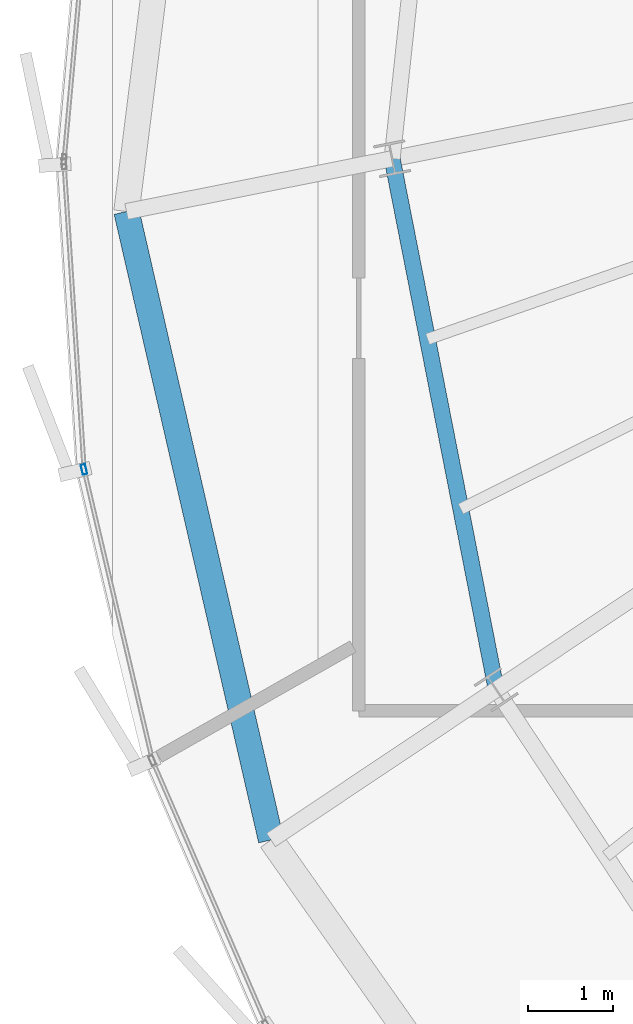
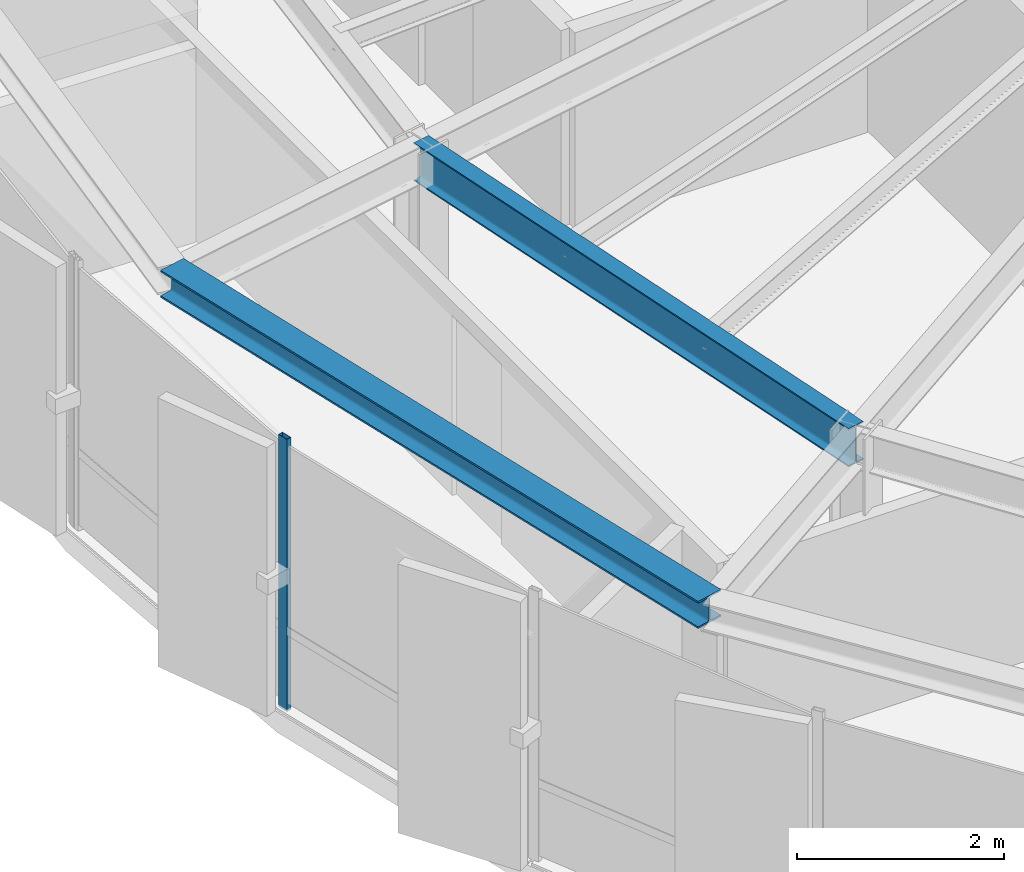
# One storey, part 5 of 31: 2 beams, 1 member, 1 element without a shape of its own.
"""IFC4 building model written with IfcOpenShell, lengths in metres."""

from ifc_helpers import new_model, si_unit, direction, frame, origin, origin_2d, place, context, subcontext, project, spatial, hollow_rectangle, i_section, extrude, source, transform, mapped, material, layer, layer_set, material_profile, profile_set, type_object, element, aggregate, save


model = new_model("IFC4")

# Units and contexts
model_context = context("Model", 3, precision=1e-05, world=origin(), true_north=direction((0.0, 1.0)))
body_context = subcontext(model_context, "Body", "Model", "MODEL_VIEW")
ifc_project = project(units=[si_unit("LENGTHUNIT", "METRE"), si_unit("AREAUNIT", "SQUARE_METRE"), si_unit("VOLUMEUNIT", "CUBIC_METRE"), si_unit("PLANEANGLEUNIT", "RADIAN"), si_unit("MASSUNIT", "GRAM", prefix="KILO"), si_unit("THERMODYNAMICTEMPERATUREUNIT", "KELVIN")], contexts=[model_context])

# Site, building, storey
site_placement = place(None, origin())
site = spatial("IfcSite", under=ifc_project, at=site_placement, CompositionType="ELEMENT")
building_placement = place(site_placement, origin())
building = spatial("IfcBuilding", under=site, at=building_placement, Name="Kethvar Cultural Tower", CompositionType="ELEMENT")
storey_placement = place(building_placement, frame((0.0, 0.0, 290.5)))
storey = spatial("IfcBuildingStorey", under=building, at=storey_placement, Name="L77", CompositionType="ELEMENT", Elevation=290.5)

# Beams
ifc_material_1 = material(Name="Steel S355J2", Category="steel")
ifc_material_profile_1 = material_profile(ifc_material_1, i_section(OverallWidth=0.18994140625, OverallDepth=0.449951171875, WebThickness=0.009521484375, FlangeThickness=0.0146484375, FilletRadius=0.02099609375, at=origin_2d()), Name="Steel S355J2 — IPE450")
ifc_profile_set_1 = profile_set([ifc_material_profile_1], Name="Steel S355J2 — IPE450")
beam_type_1 = type_object("IfcBeamType", Name="BM-IPE450", PredefinedType="BEAM", material=ifc_profile_set_1)
shared_shape_1 = source(origin(), body_context, "Body", "SweptSolid", [
    extrude(i_section(OverallWidth=0.18994140625, OverallDepth=0.449951171875, WebThickness=0.009521484375, FlangeThickness=0.0146484375, FilletRadius=0.02099609375, at=origin_2d()), origin(), (0.0, 0.0, 1.0), 6.391357421875),
])
beam_1_placement = place(storey_placement, frame((31.68310546875, 24.79296875, 2.98291015625), z_axis=(0.192405084368, -0.981315588131, 0.0), x_axis=(0.981315588131, 0.192405084368, 0.0)))
element("IfcBeam", 1, at=beam_1_placement, inside=storey, type_object=beam_type_1, Name="L77 Column Ring Tie Beam CR-09", PredefinedType="BEAM", context=body_context, shape_type="MappedRepresentation", body=[
    mapped(shared_shape_1, transform((0.0, 0.0, 0.0), scale=1.0)),
])
ifc_material_profile_2 = material_profile(ifc_material_1, i_section(OverallWidth=0.300048828125, OverallDepth=0.320068359375, WebThickness=0.011474609375, FlangeThickness=0.0205078125, FilletRadius=0.027099609375, at=origin_2d()), Name="Steel S355J2 — HEB320")
ifc_profile_set_2 = profile_set([ifc_material_profile_2], Name="Steel S355J2 — HEB320")
beam_type_2 = type_object("IfcBeamType", Name="BM-SP320", PredefinedType="SPANDREL", material=ifc_profile_set_2)
shared_shape_2 = source(origin(), body_context, "Body", "SweptSolid", [
    extrude(i_section(OverallWidth=0.300048828125, OverallDepth=0.320068359375, WebThickness=0.011474609375, FlangeThickness=0.0205078125, FilletRadius=0.027099609375, at=origin_2d()), origin(), (0.0, 0.0, 1.0), 7.619384765625),
])
beam_2_placement = place(storey_placement, frame((28.54443359375, 24.168701171875, 3.048095703125), z_axis=(0.224133998424, -0.974558336248, 0.0), x_axis=(0.974558336248, 0.224133998424, 0.0)))
element("IfcBeam", 2, at=beam_2_placement, inside=storey, type_object=beam_type_2, Name="L77 Perimeter Spandrel Beam SP-09", PredefinedType="SPANDREL", context=body_context, shape_type="MappedRepresentation", body=[
    mapped(shared_shape_2, transform((0.0, 0.0, 0.0), scale=1.0)),
])

# Curtain wall, member
ifc_material_2 = material(Name="Aluminium 6063-T6", Category="aluminium")
ifc_layer = layer(ifc_material_2, 0.179931640625, Name="Aluminium 6063-T6", Category="aluminium")
ifc_layer_set = layer_set([ifc_layer], Name="Aluminium 6063-T6 (180 mm)")
curtain_wall_type = type_object("IfcCurtainWallType", Name="CW-SYS-05-Z56", PredefinedType="NOTDEFINED", material=ifc_layer_set)
curtain_wall_placement = place(storey_placement, origin())
curtain_wall = element("IfcCurtainWall", 3, at=curtain_wall_placement, inside=storey, type_object=curtain_wall_type, Name="L77 Curtain Wall Run 03", PredefinedType="NOTDEFINED")
ifc_material_profile_3 = material_profile(ifc_material_2, hollow_rectangle(XDim=0.054931640625, YDim=0.1201171875, WallThickness=0.00390625, at=origin_2d()), Name="Aluminium 6063-T6 — RHS120x55x4")
ifc_profile_set_3 = profile_set([ifc_material_profile_3], Name="Aluminium 6063-T6 — RHS120x55x4")
member_type = type_object("IfcMemberType", Name="CW-SYS-05-Z56-MUL", PredefinedType="MULLION", material=ifc_profile_set_3)
shared_shape_3 = source(origin(), body_context, "Body", "SweptSolid", [
    extrude(hollow_rectangle(XDim=0.054931640625, YDim=0.1201171875, WallThickness=0.00390625, at=origin_2d()), origin(), (0.0, 0.0, 1.0), 3.2099609375),
])
member_placement = place(storey_placement, frame((28.042724609375, 21.12109375, 0.0), z_axis=(0.0, 0.0, 1.0), x_axis=(0.973407253306, 0.229081468502, 0.0)))
member = element("IfcMember", 4, at=member_placement, type_object=member_type, Name="CW-L77-R03 Mullion 2", PredefinedType="MULLION", context=body_context, shape_type="MappedRepresentation", body=[
    mapped(shared_shape_3, transform((0.0, 0.0, 0.0), scale=1.0)),
])
aggregate(curtain_wall, [member])

save(model, "model.ifc")
